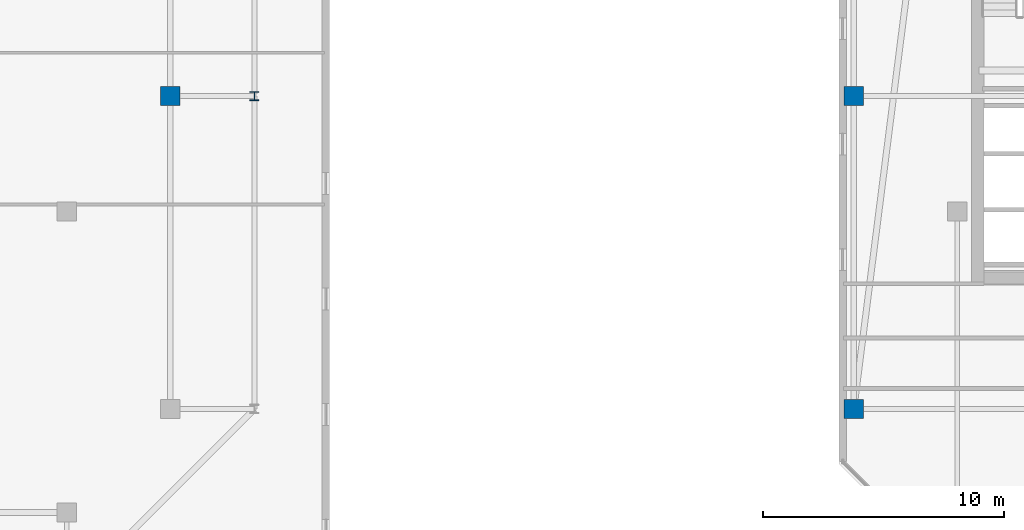
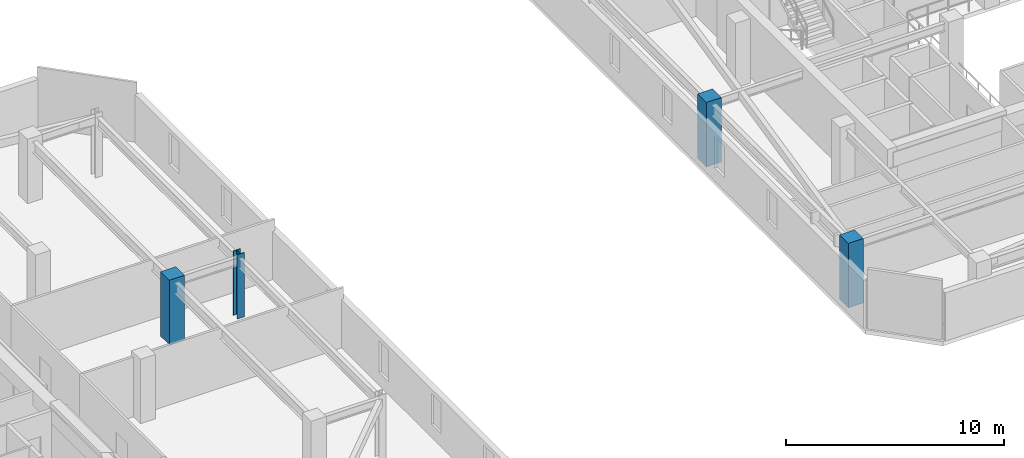
# One storey, part 2 of 35: 4 columns.
"""IFC4 building model written with IfcOpenShell, lengths in metres."""

from ifc_helpers import new_model, si_unit, direction, frame, origin, origin_2d, place, context, subcontext, project, spatial, rectangle, i_section, extrude, material, material_profile, profile_set, type_object, element, save


model = new_model("IFC4")

# Units and contexts
model_context = context("Model", 3, precision=1e-05, world=origin(), true_north=direction((0.0, 1.0)))
body_context = subcontext(model_context, "Body", "Model", "MODEL_VIEW")
ifc_project = project(units=[si_unit("LENGTHUNIT", "METRE"), si_unit("AREAUNIT", "SQUARE_METRE"), si_unit("VOLUMEUNIT", "CUBIC_METRE"), si_unit("PLANEANGLEUNIT", "RADIAN"), si_unit("MASSUNIT", "GRAM", prefix="KILO")], contexts=[model_context])

# Site, building, storey
site_placement = place(None, origin())
site = spatial("IfcSite", under=ifc_project, at=site_placement, CompositionType="ELEMENT")
building_placement = place(site_placement, origin())
building = spatial("IfcBuilding", under=site, at=building_placement, Name="Thornwick Lancets Civic Towers", CompositionType="ELEMENT")
storey_placement = place(building_placement, frame((0.0, 0.0, 265.5)))
storey = spatial("IfcBuildingStorey", under=building, at=storey_placement, Name="L71", CompositionType="ELEMENT", Elevation=265.5)

# Columns
ifc_material_1 = material(Name="Concrete C50/60", Category="concrete")
ifc_material_profile_1 = material_profile(ifc_material_1, rectangle(XDim=0.800048828125, YDim=0.800048828125, at=origin_2d()), Name="RC 800x800")
ifc_profile_set_1 = profile_set([ifc_material_profile_1], Name="Concrete C50/60")
column_type_1 = type_object("IfcColumnType", Name="COL_RC_800", PredefinedType="COLUMN", material=ifc_profile_set_1)
for number, where, z_axis, x_axis, name in (
    (1, (42.800048828125, 27.0, 0.0), (0.0, 0.0, 1.0), (1.0, 0.0, 0.0), "L71 Spine Mega-Column A05"),
    (2, (71.199951171875, 14.0, 0.0), (0.0, 0.0, 1.0), (1.0, 0.0, 0.0), "L71 Spine Mega-Column B07"),
    (3, (71.199951171875, 27.0, 0.0), (0.0, 0.0, 1.0), (1.0, 0.0, 0.0), "L71 Spine Mega-Column B08"),
):
    element("IfcColumn", number, at=place(storey_placement, frame(where, z_axis=z_axis, x_axis=x_axis)), inside=storey, type_object=column_type_1, Name=name, PredefinedType="COLUMN", context=body_context, shape_type="SweptSolid", body=[
        extrude(rectangle(XDim=0.800048828125, YDim=0.800048828125, at=origin_2d()), origin(), (0.0, 0.0, 1.0), 3.60009765625),
    ])
ifc_material_2 = material(Name="Steel S355JR", Category="steel")
ifc_material_profile_2 = material_profile(ifc_material_2, i_section(OverallWidth=0.374755859375, OverallDepth=0.37451171875, WebThickness=0.0166015625, FlangeThickness=0.027099609375, FilletRadius=0.01513671875, at=origin_2d()), Name="UKC 356x368x202")
ifc_profile_set_2 = profile_set([ifc_material_profile_2], Name="Steel S355JR")
column_type_2 = type_object("IfcColumnType", Name="COL_UKC_202", PredefinedType="COLUMN", material=ifc_profile_set_2)
column_placement = place(storey_placement, frame((46.300048828125, 27.0, 0.0), z_axis=(0.0, 0.0, 1.0), x_axis=(1.0, 0.0, 0.0)))
element("IfcColumn", 4, at=column_placement, inside=storey, type_object=column_type_2, Name="L71 Block Perimeter Column A05", PredefinedType="COLUMN", context=body_context, shape_type="SweptSolid", body=[
    extrude(i_section(OverallWidth=0.374755859375, OverallDepth=0.37451171875, WebThickness=0.0166015625, FlangeThickness=0.027099609375, FilletRadius=0.01513671875, at=origin_2d()), origin(), (0.0, 0.0, 1.0), 3.60009765625),
])

save(model, "model.ifc")
